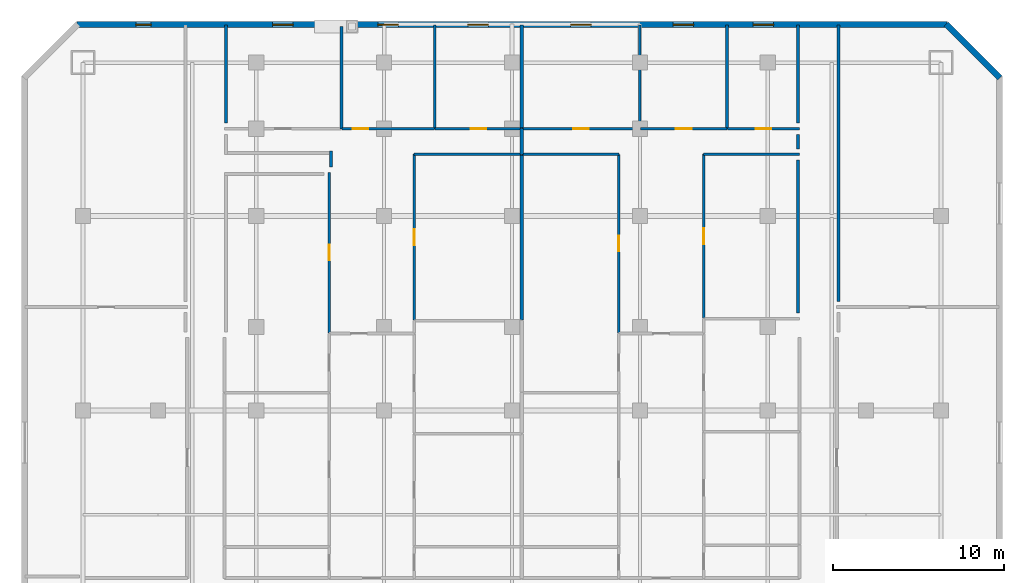
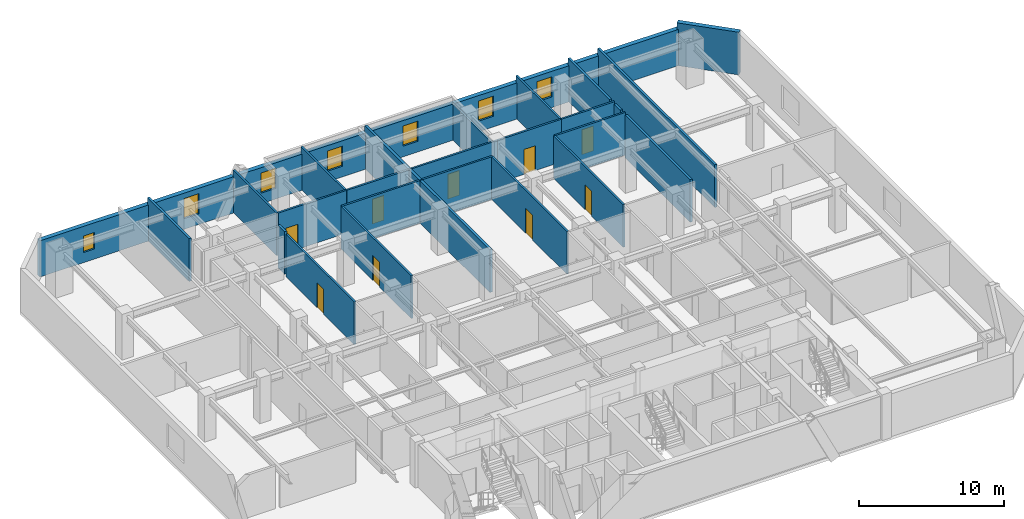
# One storey, part 6 of 8: 27 walls, 9 doors, 7 windows, 16 openings.
"""IFC4 building model written with IfcOpenShell, lengths in metres."""

from ifc_helpers import new_model, si_unit, direction, frame, frame_2d, origin, place, context, subcontext, project, spatial, rectangle, extrude, material, layer, layer_set, type_object, element, fill, save


model = new_model("IFC4")

# Units and contexts
model_context = context("Model", 3, precision=1e-05, world=origin(), true_north=direction((0.0, 1.0)))
body_context = subcontext(model_context, "Body", "Model", "MODEL_VIEW")
ifc_project = project(units=[si_unit("LENGTHUNIT", "METRE"), si_unit("AREAUNIT", "SQUARE_METRE"), si_unit("VOLUMEUNIT", "CUBIC_METRE"), si_unit("PLANEANGLEUNIT", "RADIAN"), si_unit("MASSUNIT", "GRAM", prefix="KILO")], contexts=[model_context])

# Site, building, storey
site_placement = place(None, origin())
site = spatial("IfcSite", under=ifc_project, at=site_placement, CompositionType="ELEMENT")
building_placement = place(site_placement, origin())
building = spatial("IfcBuilding", under=site, at=building_placement, Name="Ventersveld Concourse Tower", CompositionType="ELEMENT")
storey_placement = place(building_placement, frame((0.0, 0.0, 37.5)))
storey = spatial("IfcBuildingStorey", under=building, at=storey_placement, Name="L08", CompositionType="ELEMENT", Elevation=37.5)

# Walls
ifc_material_1 = material(Name="Fire-rated autoclaved aerated masonry blockwork", Category="masonry")
ifc_layer_1 = layer(ifc_material_1, 0.179931640625)
ifc_layer_set_1 = layer_set([ifc_layer_1], Name="Fire-rated autoclaved aerated masonry blockwork")
wall_type_1 = type_object("IfcWallType", Name="WL-CORR-180", PredefinedType="PARTITIONING", material=ifc_layer_set_1)
wall_1_placement = place(storey_placement, frame((47.8798828125, 29.9951171875, 0.0), z_axis=(0.0, 0.0, 1.0), x_axis=(0.0, 1.0, 0.0)))
element("IfcWall", 1, at=wall_1_placement, inside=storey, type_object=wall_type_1, Name="L08 Room Enclosure Wall SP-L08-NELNG2", PredefinedType="PARTITIONING", context=body_context, shape_type="SweptSolid", body=[
    extrude(rectangle(XDim=16.19482421875, YDim=0.179931640625, at=frame_2d((8.097412109375, 0.0))), origin(), (0.0, 0.0, 1.0), 3.60009765625),
])
wall_2_placement = place(storey_placement, frame((18.13037109375, 37.87939453125, 0.0), z_axis=(0.0, 0.0, 1.0), x_axis=(0.0, 1.0, 0.0)))
element("IfcWall", 2, at=wall_2_placement, inside=storey, type_object=wall_type_1, Name="L08 Room Enclosure Wall SP-L08-08N1-LIV", PredefinedType="PARTITIONING", context=body_context, shape_type="SweptSolid", body=[
    extrude(rectangle(XDim=0.925537109375, YDim=0.179931640625, at=frame_2d((0.462890625, 0.0))), origin(), (0.0, 0.0, 1.0), 3.60009765625),
])
wall_3_placement = place(storey_placement, frame((11.97998046875, 40.445068359375, 0.0), z_axis=(0.0, 0.0, 1.0), x_axis=(0.0, 1.0, 0.0)))
element("IfcWall", 3, at=wall_3_placement, inside=storey, type_object=wall_type_1, Name="L08 Room Enclosure Wall SP-L08-08N1-BR1", PredefinedType="PARTITIONING", context=body_context, shape_type="SweptSolid", body=[
    extrude(rectangle(XDim=5.744873046875, YDim=0.179931640625, at=frame_2d((2.87255859375, 0.0))), origin(), (0.0, 0.0, 1.0), 3.60009765625),
])
wall_4_placement = place(storey_placement, frame((45.52001953125, 39.794921875, 0.0), z_axis=(0.0, 0.0, 1.0), x_axis=(0.0, -1.0, 0.0)))
element("IfcWall", 4, at=wall_4_placement, inside=storey, type_object=wall_type_1, Name="L08 Room Enclosure Wall SP-L08-08N2-LIV", PredefinedType="PARTITIONING", context=body_context, shape_type="SweptSolid", body=[
    extrude(rectangle(XDim=0.849853515625, YDim=0.179931640625, at=frame_2d((0.4248046875, 0.0))), origin(), (0.0, 0.0, 1.0), 3.60009765625),
])
wall_5_placement = place(storey_placement, frame((45.52001953125, 38.294921875, 0.0), z_axis=(0.0, 0.0, 1.0), x_axis=(0.0, -1.0, 0.0)))
element("IfcWall", 5, at=wall_5_placement, inside=storey, type_object=wall_type_1, Name="L08 Room Enclosure Wall SP-L08-08N2-DENS2", PredefinedType="PARTITIONING", context=body_context, shape_type="SweptSolid", body=[
    extrude(rectangle(XDim=8.99072265625, YDim=0.179931640625, at=frame_2d((4.495361328125, 0.0))), origin(), (0.0, 0.0, 1.0), 3.60009765625),
])
wall_6_placement = place(storey_placement, frame((45.52001953125, 46.18994140625, 0.0), z_axis=(0.0, 0.0, 1.0), x_axis=(0.0, -1.0, 0.0)))
element("IfcWall", 6, at=wall_6_placement, inside=storey, type_object=wall_type_1, Name="L08 Room Enclosure Wall SP-L08-08N2-BR3", PredefinedType="PARTITIONING", context=body_context, shape_type="SweptSolid", body=[
    extrude(rectangle(XDim=5.744873046875, YDim=0.179931640625, at=frame_2d((2.87255859375, 0.0))), origin(), (0.0, 0.0, 1.0), 3.60009765625),
])
ifc_layer_2 = layer(ifc_material_1, 0.199951171875)
ifc_layer_set_2 = layer_set([ifc_layer_2], Name="Fire-rated autoclaved aerated masonry blockwork")
wall_type_2 = type_object("IfcWallType", Name="WL-DEMISE-200", PredefinedType="PARTITIONING", material=ifc_layer_set_2)
wall_7_placement = place(storey_placement, frame((29.314208984375, 38.614990234375, 0.0), z_axis=(0.0, 0.0, 1.0), x_axis=(0.0, 1.0, 0.0)))
element("IfcWall", 7, at=wall_7_placement, inside=storey, type_object=wall_type_2, Name="L08 Interior Partition SP-L08-08N1-LIV-SP-L08-08N2-LIV", PredefinedType="PARTITIONING", context=body_context, shape_type="SweptSolid", body=[
    extrude(rectangle(XDim=1.510009765625, YDim=0.199951171875, at=frame_2d((0.7548828125, 0.0))), origin(), (0.0, 0.0, 1.0), 3.60009765625),
])
wall_8_placement = place(storey_placement, frame((29.314208984375, 28.90087890625, 0.0), z_axis=(0.0, 0.0, 1.0), x_axis=(0.0, 1.0, 0.0)))
element("IfcWall", 8, at=wall_8_placement, inside=storey, type_object=wall_type_2, Name="L08 Interior Partition SP-L08-08N1-DENS2-SP-L08-08N2-DENL2", PredefinedType="PARTITIONING", context=body_context, shape_type="SweptSolid", body=[
    extrude(rectangle(XDim=9.68408203125, YDim=0.199951171875, at=frame_2d((4.842041015625, 0.0))), origin(), (0.0, 0.0, 1.0), 3.60009765625),
])
wall_9_placement = place(storey_placement, frame((29.314208984375, 40.155029296875, 0.0), z_axis=(0.0, 0.0, 1.0), x_axis=(0.0, 1.0, 0.0)))
element("IfcWall", 9, at=wall_9_placement, inside=storey, type_object=wall_type_2, Name="L08 Interior Partition SP-L08-08N1-BR3-SP-L08-08N2-BR1", PredefinedType="PARTITIONING", context=body_context, shape_type="SweptSolid", body=[
    extrude(rectangle(XDim=6.034912109375, YDim=0.199951171875, at=frame_2d((3.017578125, 0.0))), origin(), (0.0, 0.0, 1.0), 3.60009765625),
])

# Wall, opening, door
ifc_material_2 = material(Name="Autoclaved aerated masonry blockwork", Category="masonry")
ifc_layer_3 = layer(ifc_material_2, 0.14990234375)
ifc_layer_set_3 = layer_set([ifc_layer_3], Name="Autoclaved aerated masonry blockwork")
wall_type_3 = type_object("IfcWallType", Name="WL-INT-150", PredefinedType="PARTITIONING", material=ifc_layer_set_3)
wall_10_placement = place(storey_placement, frame((18.040283203125, 28.151611328125, 0.0), z_axis=(0.0, 0.0, 1.0), x_axis=(0.0, 1.0, 0.0)))
wall_10 = element("IfcWall", 10, at=wall_10_placement, inside=storey, type_object=wall_type_3, Name="L08 Interior Partition SP-L08-08N1-LIV-SP-L08-08N1-DENL2", PredefinedType="PARTITIONING", context=body_context, shape_type="SweptSolid", body=[
    extrude(rectangle(XDim=9.4130859375, YDim=0.14990234375, at=frame_2d((4.70654296875, 0.0))), origin(), (0.0, 0.0, 1.0), 3.60009765625),
])
opening_1_placement = place(wall_10_placement, frame((4.246337890625, 0.0, 0.0)))
opening_1 = element("IfcOpeningElement", 11, at=opening_1_placement, cuts=wall_10, Name="Opening ID1", PredefinedType="OPENING", context=body_context, shape_type="SweptSolid", body=[
    extrude(rectangle(XDim=0.919921875, YDim=2.10009765625, at=frame_2d((0.4599609375, 1.050048828125))), frame((0.0, 0.0849609375, 0.0), z_axis=(0.0, -1.0, 0.0), x_axis=(1.0, 0.0, 0.0)), (0.0, 0.0, 1.0), 0.169921875),
])
ifc_material_3 = material(Name="Solid-core hardwood veneer timber", Category="wood")
door_type = type_object("IfcDoorType", Name="DR-ROOM-092", OperationType="NOTDEFINED", PredefinedType="DOOR", material=ifc_material_3)
door_1_placement = place(opening_1_placement, origin())
door_1 = element("IfcDoor", 12, at=door_1_placement, inside=storey, type_object=door_type, Name="L08 Interior Door SP-L08-08N1-LIV to SP-L08-08N1-DENL2 (D-L08-0278)", OperationType="SINGLE_SWING_RIGHT", OverallHeight=2.10009765625, OverallWidth=0.919921875, PredefinedType="DOOR", context=body_context, shape_type="SweptSolid", body=[
    extrude(rectangle(XDim=0.919921875, YDim=2.10009765625, at=frame_2d((0.4599609375, 1.050048828125))), frame((0.0, 0.02490234375, 0.0), z_axis=(0.0, -1.0, 0.0), x_axis=(1.0, 0.0, 0.0)), (0.0, 0.0, 1.0), 0.050048828125),
])
fill(opening_1, door_1)

wall_11_placement = place(storey_placement, frame((23.020263671875, 28.90087890625, 0.0), z_axis=(0.0, 0.0, 1.0), x_axis=(0.0, 1.0, 0.0)))
wall_11 = element("IfcWall", 13, at=wall_11_placement, inside=storey, type_object=wall_type_3, Name="L08 Interior Partition SP-L08-08N1-LIV-SP-L08-08N1-DENS2", PredefinedType="PARTITIONING", context=body_context, shape_type="SweptSolid", body=[
    extrude(rectangle(XDim=9.72412109375, YDim=0.14990234375, at=frame_2d((4.862060546875, 0.0))), origin(), (0.0, 0.0, 1.0), 3.60009765625),
])
opening_2_placement = place(wall_11_placement, frame((4.402099609375, 0.0, 0.0)))
opening_2 = element("IfcOpeningElement", 14, at=opening_2_placement, cuts=wall_11, Name="Opening ID1", PredefinedType="OPENING", context=body_context, shape_type="SweptSolid", body=[
    extrude(rectangle(XDim=0.919921875, YDim=2.10009765625, at=frame_2d((0.4599609375, 1.050048828125))), frame((0.0, 0.0849609375, 0.0), z_axis=(0.0, -1.0, 0.0), x_axis=(1.0, 0.0, 0.0)), (0.0, 0.0, 1.0), 0.169921875),
])
door_2_placement = place(opening_2_placement, origin())
door_2 = element("IfcDoor", 15, at=door_2_placement, inside=storey, type_object=door_type, Name="L08 Interior Door SP-L08-08N1-LIV to SP-L08-08N1-DENS2 (D-L08-0279)", OperationType="SINGLE_SWING_LEFT", OverallHeight=2.10009765625, OverallWidth=0.919921875, PredefinedType="DOOR", context=body_context, shape_type="SweptSolid", body=[
    extrude(rectangle(XDim=0.919921875, YDim=2.10009765625, at=frame_2d((0.4599609375, 1.050048828125))), frame((0.0, 0.02490234375, 0.0), z_axis=(0.0, -1.0, 0.0), x_axis=(1.0, 0.0, 0.0)), (0.0, 0.0, 1.0), 0.050048828125),
])
fill(opening_2, door_2)

# Wall
wall_12_placement = place(storey_placement, frame((23.015380859375, 38.6201171875, 0.0), z_axis=(0.0, 0.0, 1.0), x_axis=(1.0, 0.0, 0.0)))
element("IfcWall", 16, at=wall_12_placement, inside=storey, type_object=wall_type_3, Name="L08 Interior Partition SP-L08-08N1-LIV-SP-L08-08N1-DENS2", PredefinedType="PARTITIONING", context=body_context, shape_type="SweptSolid", body=[
    extrude(rectangle(XDim=6.3037109375, YDim=0.14990234375, at=frame_2d((3.15185546875, 0.0))), origin(), (0.0, 0.0, 1.0), 3.60009765625),
])

# Wall, opening, door
wall_13_placement = place(storey_placement, frame((18.788330078125, 40.1201171875, 0.0), z_axis=(0.0, 0.0, 1.0), x_axis=(1.0, 0.0, 0.0)))
wall_13 = element("IfcWall", 17, at=wall_13_placement, inside=storey, type_object=wall_type_3, Name="L08 Interior Partition SP-L08-08N1-LIV-SP-L08-08N1-BR2", PredefinedType="PARTITIONING", context=body_context, shape_type="SweptSolid", body=[
    extrude(rectangle(XDim=5.42626953125, YDim=0.14990234375, at=frame_2d((2.713134765625, 0.0))), origin(), (0.0, 0.0, 1.0), 3.60009765625),
])
opening_3_placement = place(wall_13_placement, frame((0.625244140625, 0.0, 0.0)))
opening_3 = element("IfcOpeningElement", 18, at=opening_3_placement, cuts=wall_13, Name="Opening ID1", PredefinedType="OPENING", context=body_context, shape_type="SweptSolid", body=[
    extrude(rectangle(XDim=0.919921875, YDim=2.10009765625, at=frame_2d((0.4599609375, 1.050048828125))), frame((0.0, 0.0849609375, 0.0), z_axis=(0.0, -1.0, 0.0), x_axis=(1.0, 0.0, 0.0)), (0.0, 0.0, 1.0), 0.169921875),
])
door_3_placement = place(opening_3_placement, origin())
door_3 = element("IfcDoor", 19, at=door_3_placement, inside=storey, type_object=door_type, Name="L08 Interior Door SP-L08-08N1-LIV to SP-L08-08N1-BR2 (D-L08-0281)", OperationType="SINGLE_SWING_LEFT", OverallHeight=2.10009765625, OverallWidth=0.919921875, PredefinedType="DOOR", context=body_context, shape_type="SweptSolid", body=[
    extrude(rectangle(XDim=0.919921875, YDim=2.10009765625, at=frame_2d((0.4599609375, 1.050048828125))), frame((0.0, 0.02490234375, 0.0), z_axis=(0.0, -1.0, 0.0), x_axis=(1.0, 0.0, 0.0)), (0.0, 0.0, 1.0), 0.050048828125),
])
fill(opening_3, door_3)

wall_14_placement = place(storey_placement, frame((24.24462890625, 40.1201171875, 0.0), z_axis=(0.0, 0.0, 1.0), x_axis=(1.0, 0.0, 0.0)))
wall_14 = element("IfcWall", 20, at=wall_14_placement, inside=storey, type_object=wall_type_3, Name="L08 Interior Partition SP-L08-08N1-LIV-SP-L08-08N1-BR3", PredefinedType="PARTITIONING", context=body_context, shape_type="SweptSolid", body=[
    extrude(rectangle(XDim=5.074462890625, YDim=0.14990234375, at=frame_2d((2.537109375, 0.0))), origin(), (0.0, 0.0, 1.0), 3.60009765625),
])
opening_4_placement = place(wall_14_placement, frame((2.0771484375, 0.0, 0.0)))
opening_4 = element("IfcOpeningElement", 21, at=opening_4_placement, cuts=wall_14, Name="Opening ID1", PredefinedType="OPENING", context=body_context, shape_type="SweptSolid", body=[
    extrude(rectangle(XDim=0.919921875, YDim=2.10009765625, at=frame_2d((0.4599609375, 1.050048828125))), frame((0.0, 0.0849609375, 0.0), z_axis=(0.0, -1.0, 0.0), x_axis=(1.0, 0.0, 0.0)), (0.0, 0.0, 1.0), 0.169921875),
])
door_4_placement = place(opening_4_placement, origin())
door_4 = element("IfcDoor", 22, at=door_4_placement, inside=storey, type_object=door_type, Name="L08 Interior Door SP-L08-08N1-LIV to SP-L08-08N1-BR3 (D-L08-0282)", OperationType="SINGLE_SWING_RIGHT", OverallHeight=2.10009765625, OverallWidth=0.919921875, PredefinedType="DOOR", context=body_context, shape_type="SweptSolid", body=[
    extrude(rectangle(XDim=0.919921875, YDim=2.10009765625, at=frame_2d((0.4599609375, 1.050048828125))), frame((0.0, 0.02490234375, 0.0), z_axis=(0.0, -1.0, 0.0), x_axis=(1.0, 0.0, 0.0)), (0.0, 0.0, 1.0), 0.050048828125),
])
fill(opening_4, door_4)

# Walls
wall_15_placement = place(storey_placement, frame((18.75341796875, 40.114990234375, 0.0), z_axis=(0.0, 0.0, 1.0), x_axis=(0.0, 1.0, 0.0)))
element("IfcWall", 23, at=wall_15_placement, inside=storey, type_object=wall_type_3, Name="L08 Interior Partition SP-L08-08N1-BR1-SP-L08-08N1-BR2", PredefinedType="PARTITIONING", context=body_context, shape_type="SweptSolid", body=[
    extrude(rectangle(XDim=5.987060546875, YDim=0.14990234375, at=frame_2d((2.99365234375, 0.0))), origin(), (0.0, 0.0, 1.0), 3.60009765625),
])
wall_16_placement = place(storey_placement, frame((24.209716796875, 40.114990234375, 0.0), z_axis=(0.0, 0.0, 1.0), x_axis=(0.0, 1.0, 0.0)))
element("IfcWall", 24, at=wall_16_placement, inside=storey, type_object=wall_type_3, Name="L08 Interior Partition SP-L08-08N1-BR2-SP-L08-08N1-BR3", PredefinedType="PARTITIONING", context=body_context, shape_type="SweptSolid", body=[
    extrude(rectangle(XDim=6.074951171875, YDim=0.14990234375, at=frame_2d((3.03759765625, 0.0))), origin(), (0.0, 0.0, 1.0), 3.60009765625),
])

# Wall, opening, door
wall_17_placement = place(storey_placement, frame((35.005615234375, 28.151611328125, 0.0), z_axis=(0.0, 0.0, 1.0), x_axis=(0.0, 1.0, 0.0)))
wall_17 = element("IfcWall", 25, at=wall_17_placement, inside=storey, type_object=wall_type_3, Name="L08 Interior Partition SP-L08-08N2-LIV-SP-L08-08N2-DENL2", PredefinedType="PARTITIONING", context=body_context, shape_type="SweptSolid", body=[
    extrude(rectangle(XDim=10.47265625, YDim=0.14990234375, at=frame_2d((5.236328125, 0.0))), origin(), (0.0, 0.0, 1.0), 3.60009765625),
])
opening_5_placement = place(wall_17_placement, frame((4.7763671875, 0.0, 0.0)))
opening_5 = element("IfcOpeningElement", 26, at=opening_5_placement, cuts=wall_17, Name="Opening ID1", PredefinedType="OPENING", context=body_context, shape_type="SweptSolid", body=[
    extrude(rectangle(XDim=0.919921875, YDim=2.10009765625, at=frame_2d((0.4599609375, 1.050048828125))), frame((0.0, 0.0849609375, 0.0), z_axis=(0.0, -1.0, 0.0), x_axis=(1.0, 0.0, 0.0)), (0.0, 0.0, 1.0), 0.169921875),
])
door_5_placement = place(opening_5_placement, origin())
door_5 = element("IfcDoor", 27, at=door_5_placement, inside=storey, type_object=door_type, Name="L08 Interior Door SP-L08-08N2-LIV to SP-L08-08N2-DENL2 (D-L08-0290)", OperationType="SINGLE_SWING_RIGHT", OverallHeight=2.10009765625, OverallWidth=0.919921875, PredefinedType="DOOR", context=body_context, shape_type="SweptSolid", body=[
    extrude(rectangle(XDim=0.919921875, YDim=2.10009765625, at=frame_2d((0.4599609375, 1.050048828125))), frame((0.0, 0.02490234375, 0.0), z_axis=(0.0, -1.0, 0.0), x_axis=(1.0, 0.0, 0.0)), (0.0, 0.0, 1.0), 0.050048828125),
])
fill(opening_5, door_5)

# Wall
wall_18_placement = place(storey_placement, frame((29.34912109375, 38.61962890625, 0.0), z_axis=(0.0, 0.0, 1.0), x_axis=(1.0, 0.0, 0.0)))
element("IfcWall", 28, at=wall_18_placement, inside=storey, type_object=wall_type_3, Name="L08 Interior Partition SP-L08-08N2-LIV-SP-L08-08N2-DENL2", PredefinedType="PARTITIONING", context=body_context, shape_type="SweptSolid", body=[
    extrude(rectangle(XDim=5.661376953125, YDim=0.14990234375, at=frame_2d((2.83056640625, 0.0))), origin(), (0.0, 0.0, 1.0), 3.60009765625),
])

# Wall, opening, door
wall_19_placement = place(storey_placement, frame((39.985595703125, 29.01416015625, 0.0), z_axis=(0.0, 0.0, 1.0), x_axis=(0.0, 1.0, 0.0)))
wall_19 = element("IfcWall", 29, at=wall_19_placement, inside=storey, type_object=wall_type_3, Name="L08 Interior Partition SP-L08-08N2-LIV-SP-L08-08N2-DENS2", PredefinedType="PARTITIONING", context=body_context, shape_type="SweptSolid", body=[
    extrude(rectangle(XDim=9.61083984375, YDim=0.14990234375, at=frame_2d((4.805419921875, 0.0))), origin(), (0.0, 0.0, 1.0), 3.60009765625),
])
opening_6_placement = place(wall_19_placement, frame((4.345458984375, 0.0, 0.0)))
opening_6 = element("IfcOpeningElement", 30, at=opening_6_placement, cuts=wall_19, Name="Opening ID1", PredefinedType="OPENING", context=body_context, shape_type="SweptSolid", body=[
    extrude(rectangle(XDim=0.919921875, YDim=2.10009765625, at=frame_2d((0.4599609375, 1.050048828125))), frame((0.0, 0.0849609375, 0.0), z_axis=(0.0, -1.0, 0.0), x_axis=(1.0, 0.0, 0.0)), (0.0, 0.0, 1.0), 0.169921875),
])
door_6_placement = place(opening_6_placement, origin())
door_6 = element("IfcDoor", 31, at=door_6_placement, inside=storey, type_object=door_type, Name="L08 Interior Door SP-L08-08N2-LIV to SP-L08-08N2-DENS2 (D-L08-0291)", OperationType="SINGLE_SWING_LEFT", OverallHeight=2.10009765625, OverallWidth=0.919921875, PredefinedType="DOOR", context=body_context, shape_type="SweptSolid", body=[
    extrude(rectangle(XDim=0.919921875, YDim=2.10009765625, at=frame_2d((0.4599609375, 1.050048828125))), frame((0.0, 0.02490234375, 0.0), z_axis=(0.0, -1.0, 0.0), x_axis=(1.0, 0.0, 0.0)), (0.0, 0.0, 1.0), 0.050048828125),
])
fill(opening_6, door_6)

# Wall
wall_20_placement = place(storey_placement, frame((39.980712890625, 38.6201171875, 0.0), z_axis=(0.0, 0.0, 1.0), x_axis=(1.0, 0.0, 0.0)))
element("IfcWall", 32, at=wall_20_placement, inside=storey, type_object=wall_type_3, Name="L08 Interior Partition SP-L08-08N2-LIV-SP-L08-08N2-DENS2", PredefinedType="PARTITIONING", context=body_context, shape_type="SweptSolid", body=[
    extrude(rectangle(XDim=5.63427734375, YDim=0.14990234375, at=frame_2d((2.817138671875, 0.0))), origin(), (0.0, 0.0, 1.0), 3.60009765625),
])

# Wall, opening, door
wall_21_placement = place(storey_placement, frame((29.34912109375, 40.1201171875, 0.0), z_axis=(0.0, 0.0, 1.0), x_axis=(1.0, 0.0, 0.0)))
wall_21 = element("IfcWall", 33, at=wall_21_placement, inside=storey, type_object=wall_type_3, Name="L08 Interior Partition SP-L08-08N2-LIV-SP-L08-08N2-BR1", PredefinedType="PARTITIONING", context=body_context, shape_type="SweptSolid", body=[
    extrude(rectangle(XDim=6.90576171875, YDim=0.14990234375, at=frame_2d((3.452880859375, 0.0))), origin(), (0.0, 0.0, 1.0), 3.60009765625),
])
opening_7_placement = place(wall_21_placement, frame((2.992919921875, 0.0, 0.0)))
opening_7 = element("IfcOpeningElement", 34, at=opening_7_placement, cuts=wall_21, Name="Opening ID1", PredefinedType="OPENING", context=body_context, shape_type="SweptSolid", body=[
    extrude(rectangle(XDim=0.919921875, YDim=2.10009765625, at=frame_2d((0.4599609375, 1.050048828125))), frame((0.0, 0.0849609375, 0.0), z_axis=(0.0, -1.0, 0.0), x_axis=(1.0, 0.0, 0.0)), (0.0, 0.0, 1.0), 0.169921875),
])
door_7_placement = place(opening_7_placement, origin())
door_7 = element("IfcDoor", 35, at=door_7_placement, inside=storey, type_object=door_type, Name="L08 Interior Door SP-L08-08N2-LIV to SP-L08-08N2-BR1 (D-L08-0292)", OperationType="SINGLE_SWING_RIGHT", OverallHeight=2.10009765625, OverallWidth=0.919921875, PredefinedType="DOOR", context=body_context, shape_type="SweptSolid", body=[
    extrude(rectangle(XDim=0.919921875, YDim=2.10009765625, at=frame_2d((0.4599609375, 1.050048828125))), frame((0.0, 0.02490234375, 0.0), z_axis=(0.0, -1.0, 0.0), x_axis=(1.0, 0.0, 0.0)), (0.0, 0.0, 1.0), 0.050048828125),
])
fill(opening_7, door_7)

wall_22_placement = place(storey_placement, frame((36.284912109375, 40.1201171875, 0.0), z_axis=(0.0, 0.0, 1.0), x_axis=(1.0, 0.0, 0.0)))
wall_22 = element("IfcWall", 36, at=wall_22_placement, inside=storey, type_object=wall_type_3, Name="L08 Interior Partition SP-L08-08N2-LIV-SP-L08-08N2-BR2", PredefinedType="PARTITIONING", context=body_context, shape_type="SweptSolid", body=[
    extrude(rectangle(XDim=5.07373046875, YDim=0.14990234375, at=frame_2d((2.536865234375, 0.0))), origin(), (0.0, 0.0, 1.0), 3.60009765625),
])
opening_8_placement = place(wall_22_placement, frame((2.076904296875, 0.0, 0.0)))
opening_8 = element("IfcOpeningElement", 37, at=opening_8_placement, cuts=wall_22, Name="Opening ID1", PredefinedType="OPENING", context=body_context, shape_type="SweptSolid", body=[
    extrude(rectangle(XDim=0.919921875, YDim=2.10009765625, at=frame_2d((0.4599609375, 1.050048828125))), frame((0.0, 0.0849609375, 0.0), z_axis=(0.0, -1.0, 0.0), x_axis=(1.0, 0.0, 0.0)), (0.0, 0.0, 1.0), 0.169921875),
])
door_8_placement = place(opening_8_placement, origin())
door_8 = element("IfcDoor", 38, at=door_8_placement, inside=storey, type_object=door_type, Name="L08 Interior Door SP-L08-08N2-LIV to SP-L08-08N2-BR2 (D-L08-0293)", OperationType="SINGLE_SWING_LEFT", OverallHeight=2.10009765625, OverallWidth=0.919921875, PredefinedType="DOOR", context=body_context, shape_type="SweptSolid", body=[
    extrude(rectangle(XDim=0.919921875, YDim=2.10009765625, at=frame_2d((0.4599609375, 1.050048828125))), frame((0.0, 0.02490234375, 0.0), z_axis=(0.0, -1.0, 0.0), x_axis=(1.0, 0.0, 0.0)), (0.0, 0.0, 1.0), 0.050048828125),
])
fill(opening_8, door_8)

wall_23_placement = place(storey_placement, frame((41.388671875, 40.1201171875, 0.0), z_axis=(0.0, 0.0, 1.0), x_axis=(1.0, 0.0, 0.0)))
wall_23 = element("IfcWall", 39, at=wall_23_placement, inside=storey, type_object=wall_type_3, Name="L08 Interior Partition SP-L08-08N2-LIV-SP-L08-08N2-BR3", PredefinedType="PARTITIONING", context=body_context, shape_type="SweptSolid", body=[
    extrude(rectangle(XDim=4.226318359375, YDim=0.14990234375, at=frame_2d((2.11328125, 0.0))), origin(), (0.0, 0.0, 1.0), 3.60009765625),
])
opening_9_placement = place(wall_23_placement, frame((1.6533203125, 0.0, 0.0)))
opening_9 = element("IfcOpeningElement", 40, at=opening_9_placement, cuts=wall_23, Name="Opening ID1", PredefinedType="OPENING", context=body_context, shape_type="SweptSolid", body=[
    extrude(rectangle(XDim=0.919921875, YDim=2.10009765625, at=frame_2d((0.4599609375, 1.050048828125))), frame((0.0, 0.0849609375, 0.0), z_axis=(0.0, -1.0, 0.0), x_axis=(1.0, 0.0, 0.0)), (0.0, 0.0, 1.0), 0.169921875),
])
door_9_placement = place(opening_9_placement, origin())
door_9 = element("IfcDoor", 41, at=door_9_placement, inside=storey, type_object=door_type, Name="L08 Interior Door SP-L08-08N2-LIV to SP-L08-08N2-BR3 (D-L08-0294)", OperationType="SINGLE_SWING_RIGHT", OverallHeight=2.10009765625, OverallWidth=0.919921875, PredefinedType="DOOR", context=body_context, shape_type="SweptSolid", body=[
    extrude(rectangle(XDim=0.919921875, YDim=2.10009765625, at=frame_2d((0.4599609375, 1.050048828125))), frame((0.0, 0.02490234375, 0.0), z_axis=(0.0, -1.0, 0.0), x_axis=(1.0, 0.0, 0.0)), (0.0, 0.0, 1.0), 0.050048828125),
])
fill(opening_9, door_9)

# Walls
wall_24_placement = place(storey_placement, frame((36.25, 40.114990234375, 0.0), z_axis=(0.0, 0.0, 1.0), x_axis=(0.0, 1.0, 0.0)))
element("IfcWall", 42, at=wall_24_placement, inside=storey, type_object=wall_type_3, Name="L08 Interior Partition SP-L08-08N2-BR1-SP-L08-08N2-BR2", PredefinedType="PARTITIONING", context=body_context, shape_type="SweptSolid", body=[
    extrude(rectangle(XDim=6.074951171875, YDim=0.14990234375, at=frame_2d((3.03759765625, 0.0))), origin(), (0.0, 0.0, 1.0), 3.055419921875),
])
wall_25_placement = place(storey_placement, frame((41.353759765625, 40.114990234375, 0.0), z_axis=(0.0, 0.0, 1.0), x_axis=(0.0, 1.0, 0.0)))
element("IfcWall", 43, at=wall_25_placement, inside=storey, type_object=wall_type_3, Name="L08 Interior Partition SP-L08-08N2-BR2-SP-L08-08N2-BR3", PredefinedType="PARTITIONING", context=body_context, shape_type="SweptSolid", body=[
    extrude(rectangle(XDim=6.074951171875, YDim=0.14990234375, at=frame_2d((3.03759765625, 0.0))), origin(), (0.0, 0.0, 1.0), 3.60009765625),
])
ifc_material_4 = material(Name="Precast concrete C45/55", Category="concrete")
ifc_layer_4 = layer(ifc_material_4, 0.35009765625)
ifc_layer_set_4 = layer_set([ifc_layer_4], Name="Precast concrete C45/55")
wall_type_4 = type_object("IfcWallType", Name="WL-PREC-350", PredefinedType="SOLIDWALL", material=ifc_layer_set_4)
wall_26_placement = place(storey_placement, frame((57.347900390625, 43.1044921875, 0.0), z_axis=(0.0, 0.0, 1.0), x_axis=(-0.707079321262, 0.707134240044, 0.0)))
element("IfcWall", 44, at=wall_26_placement, inside=storey, type_object=wall_type_4, Name="L08 Highveld Precast Facade Wall E04", PredefinedType="SOLIDWALL", context=body_context, shape_type="SweptSolid", body=[
    extrude(rectangle(XDim=4.445556640625, YDim=0.35009765625, at=frame_2d((2.22265625, 0.0))), origin(), (0.0, 0.0, 1.0), 3.60009765625),
])

# Wall, openings, windows
wall_27_placement = place(storey_placement, frame((54.260009765625, 46.22509765625, 0.0), z_axis=(0.0, 0.0, 1.0), x_axis=(-1.0, 0.0, 0.0)))
wall_27 = element("IfcWall", 45, at=wall_27_placement, inside=storey, type_object=wall_type_4, Name="L08 Highveld Precast Facade Wall E05", PredefinedType="SOLIDWALL", context=body_context, shape_type="SweptSolid", body=[
    extrude(rectangle(XDim=51.02001953125, YDim=0.35009765625, at=frame_2d((25.510009765625, 0.0))), origin(), (0.0, 0.0, 1.0), 3.055419921875),
])
opening_10_placement = place(wall_27_placement, frame((46.66748046875, 0.0, 0.85009765625)))
opening_10 = element("IfcOpeningElement", 46, at=opening_10_placement, cuts=wall_27, Name="Opening W8", PredefinedType="OPENING", context=body_context, shape_type="SweptSolid", body=[
    extrude(rectangle(XDim=0.89990234375, YDim=1.39990234375, at=frame_2d((0.449951171875, 0.699951171875))), frame((0.0, 0.18505859375, 0.0), z_axis=(0.0, -1.0, 0.0), x_axis=(1.0, 0.0, 0.0)), (0.0, 0.0, 1.0), 0.3701171875),
])
opening_11_placement = place(wall_27_placement, frame((38.33837890625, 0.0, 0.89990234375)))
opening_11 = element("IfcOpeningElement", 47, at=opening_11_placement, cuts=wall_27, Name="Opening W3", PredefinedType="OPENING", context=body_context, shape_type="SweptSolid", body=[
    extrude(rectangle(XDim=1.199951171875, YDim=1.699951171875, at=frame_2d((0.60009765625, 0.85009765625))), frame((0.0, 0.18505859375, 0.0), z_axis=(0.0, -1.0, 0.0), x_axis=(1.0, 0.0, 0.0)), (0.0, 0.0, 1.0), 0.3701171875),
])
opening_12_placement = place(wall_27_placement, frame((32.1787109375, 0.0, 0.89990234375)))
opening_12 = element("IfcOpeningElement", 48, at=opening_12_placement, cuts=wall_27, Name="Opening W3", PredefinedType="OPENING", context=body_context, shape_type="SweptSolid", body=[
    extrude(rectangle(XDim=1.199951171875, YDim=1.699951171875, at=frame_2d((0.60009765625, 0.85009765625))), frame((0.0, 0.18505859375, 0.0), z_axis=(0.0, -1.0, 0.0), x_axis=(1.0, 0.0, 0.0)), (0.0, 0.0, 1.0), 0.3701171875),
])
opening_13_placement = place(wall_27_placement, frame((26.898193359375, 0.0, 0.89990234375)))
opening_13 = element("IfcOpeningElement", 49, at=opening_13_placement, cuts=wall_27, Name="Opening W3", PredefinedType="OPENING", context=body_context, shape_type="SweptSolid", body=[
    extrude(rectangle(XDim=1.199951171875, YDim=1.699951171875, at=frame_2d((0.60009765625, 0.85009765625))), frame((0.0, 0.18505859375, 0.0), z_axis=(0.0, -1.0, 0.0), x_axis=(1.0, 0.0, 0.0)), (0.0, 0.0, 1.0), 0.3701171875),
])
opening_14_placement = place(wall_27_placement, frame((20.8779296875, 0.0, 0.89990234375)))
opening_14 = element("IfcOpeningElement", 50, at=opening_14_placement, cuts=wall_27, Name="Opening W3", PredefinedType="OPENING", context=body_context, shape_type="SweptSolid", body=[
    extrude(rectangle(XDim=1.199951171875, YDim=1.699951171875, at=frame_2d((0.60009765625, 0.85009765625))), frame((0.0, 0.18505859375, 0.0), z_axis=(0.0, -1.0, 0.0), x_axis=(1.0, 0.0, 0.0)), (0.0, 0.0, 1.0), 0.3701171875),
])
opening_15_placement = place(wall_27_placement, frame((14.858154296875, 0.0, 0.89990234375)))
opening_15 = element("IfcOpeningElement", 51, at=opening_15_placement, cuts=wall_27, Name="Opening W3", PredefinedType="OPENING", context=body_context, shape_type="SweptSolid", body=[
    extrude(rectangle(XDim=1.199951171875, YDim=1.699951171875, at=frame_2d((0.60009765625, 0.85009765625))), frame((0.0, 0.18505859375, 0.0), z_axis=(0.0, -1.0, 0.0), x_axis=(1.0, 0.0, 0.0)), (0.0, 0.0, 1.0), 0.3701171875),
])
opening_16_placement = place(wall_27_placement, frame((10.177978515625, 0.0, 0.89990234375)))
opening_16 = element("IfcOpeningElement", 52, at=opening_16_placement, cuts=wall_27, Name="Opening W3", PredefinedType="OPENING", context=body_context, shape_type="SweptSolid", body=[
    extrude(rectangle(XDim=1.199951171875, YDim=1.699951171875, at=frame_2d((0.60009765625, 0.85009765625))), frame((0.0, 0.18505859375, 0.0), z_axis=(0.0, -1.0, 0.0), x_axis=(1.0, 0.0, 0.0)), (0.0, 0.0, 1.0), 0.3701171875),
])
ifc_material_5 = material(Name="Tempered acoustic Low-E IGU", Category="glass")
window_type_1 = type_object("IfcWindowType", Name="WIN-090x140", PartitioningType="SINGLE_PANEL", PredefinedType="WINDOW", material=ifc_material_5)
window_1_placement = place(opening_10_placement, origin())
window_1 = element("IfcWindow", 53, at=window_1_placement, inside=storey, type_object=window_type_1, Name="L08 Punched Low-E Window W-0024", OverallHeight=1.39990234375, OverallWidth=0.89990234375, PartitioningType="SINGLE_PANEL", PredefinedType="WINDOW", context=body_context, shape_type="SweptSolid", body=[
    extrude(rectangle(XDim=0.89990234375, YDim=1.39990234375, at=frame_2d((0.449951171875, 0.699951171875))), frame((0.0, 0.030029296875, 0.0), z_axis=(0.0, -1.0, 0.0), x_axis=(1.0, 0.0, 0.0)), (0.0, 0.0, 1.0), 0.06005859375),
])
fill(opening_10, window_1)
window_type_2 = type_object("IfcWindowType", Name="WIN-120x180", PartitioningType="SINGLE_PANEL", PredefinedType="WINDOW", material=ifc_material_5)
window_2_placement = place(opening_11_placement, origin())
window_2 = element("IfcWindow", 54, at=window_2_placement, inside=storey, type_object=window_type_2, Name="L08 Punched Low-E Window W-0027", OverallHeight=1.699951171875, OverallWidth=1.199951171875, PartitioningType="SINGLE_PANEL", PredefinedType="WINDOW", context=body_context, shape_type="SweptSolid", body=[
    extrude(rectangle(XDim=1.199951171875, YDim=1.699951171875, at=frame_2d((0.60009765625, 0.85009765625))), frame((0.0, 0.030029296875, 0.0), z_axis=(0.0, -1.0, 0.0), x_axis=(1.0, 0.0, 0.0)), (0.0, 0.0, 1.0), 0.06005859375),
])
fill(opening_11, window_2)
window_3_placement = place(opening_12_placement, origin())
window_3 = element("IfcWindow", 55, at=window_3_placement, inside=storey, type_object=window_type_2, Name="L08 Punched Low-E Window W-0028", OverallHeight=1.699951171875, OverallWidth=1.199951171875, PartitioningType="SINGLE_PANEL", PredefinedType="WINDOW", context=body_context, shape_type="SweptSolid", body=[
    extrude(rectangle(XDim=1.199951171875, YDim=1.699951171875, at=frame_2d((0.60009765625, 0.85009765625))), frame((0.0, 0.030029296875, 0.0), z_axis=(0.0, -1.0, 0.0), x_axis=(1.0, 0.0, 0.0)), (0.0, 0.0, 1.0), 0.06005859375),
])
fill(opening_12, window_3)
window_4_placement = place(opening_13_placement, origin())
window_4 = element("IfcWindow", 56, at=window_4_placement, inside=storey, type_object=window_type_2, Name="L08 Punched Low-E Window W-0029", OverallHeight=1.699951171875, OverallWidth=1.199951171875, PartitioningType="SINGLE_PANEL", PredefinedType="WINDOW", context=body_context, shape_type="SweptSolid", body=[
    extrude(rectangle(XDim=1.199951171875, YDim=1.699951171875, at=frame_2d((0.60009765625, 0.85009765625))), frame((0.0, 0.030029296875, 0.0), z_axis=(0.0, -1.0, 0.0), x_axis=(1.0, 0.0, 0.0)), (0.0, 0.0, 1.0), 0.06005859375),
])
fill(opening_13, window_4)
window_5_placement = place(opening_14_placement, origin())
window_5 = element("IfcWindow", 57, at=window_5_placement, inside=storey, type_object=window_type_2, Name="L08 Punched Low-E Window W-0030", OverallHeight=1.699951171875, OverallWidth=1.199951171875, PartitioningType="SINGLE_PANEL", PredefinedType="WINDOW", context=body_context, shape_type="SweptSolid", body=[
    extrude(rectangle(XDim=1.199951171875, YDim=1.699951171875, at=frame_2d((0.60009765625, 0.85009765625))), frame((0.0, 0.030029296875, 0.0), z_axis=(0.0, -1.0, 0.0), x_axis=(1.0, 0.0, 0.0)), (0.0, 0.0, 1.0), 0.06005859375),
])
fill(opening_14, window_5)
window_6_placement = place(opening_15_placement, origin())
window_6 = element("IfcWindow", 58, at=window_6_placement, inside=storey, type_object=window_type_2, Name="L08 Punched Low-E Window W-0031", OverallHeight=1.699951171875, OverallWidth=1.199951171875, PartitioningType="SINGLE_PANEL", PredefinedType="WINDOW", context=body_context, shape_type="SweptSolid", body=[
    extrude(rectangle(XDim=1.199951171875, YDim=1.699951171875, at=frame_2d((0.60009765625, 0.85009765625))), frame((0.0, 0.030029296875, 0.0), z_axis=(0.0, -1.0, 0.0), x_axis=(1.0, 0.0, 0.0)), (0.0, 0.0, 1.0), 0.06005859375),
])
fill(opening_15, window_6)
window_7_placement = place(opening_16_placement, origin())
window_7 = element("IfcWindow", 59, at=window_7_placement, inside=storey, type_object=window_type_2, Name="L08 Punched Low-E Window W-0032", OverallHeight=1.699951171875, OverallWidth=1.199951171875, PartitioningType="SINGLE_PANEL", PredefinedType="WINDOW", context=body_context, shape_type="SweptSolid", body=[
    extrude(rectangle(XDim=1.199951171875, YDim=1.699951171875, at=frame_2d((0.60009765625, 0.85009765625))), frame((0.0, 0.030029296875, 0.0), z_axis=(0.0, -1.0, 0.0), x_axis=(1.0, 0.0, 0.0)), (0.0, 0.0, 1.0), 0.06005859375),
])
fill(opening_16, window_7)

save(model, "model.ifc")
